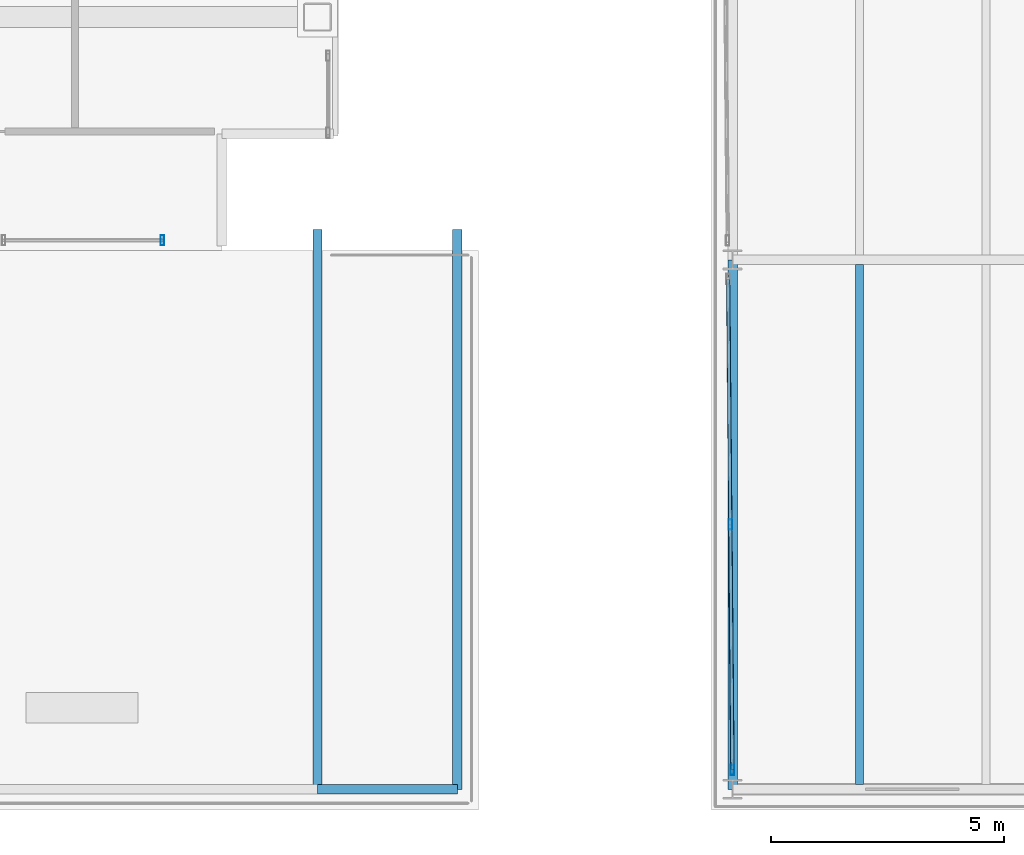
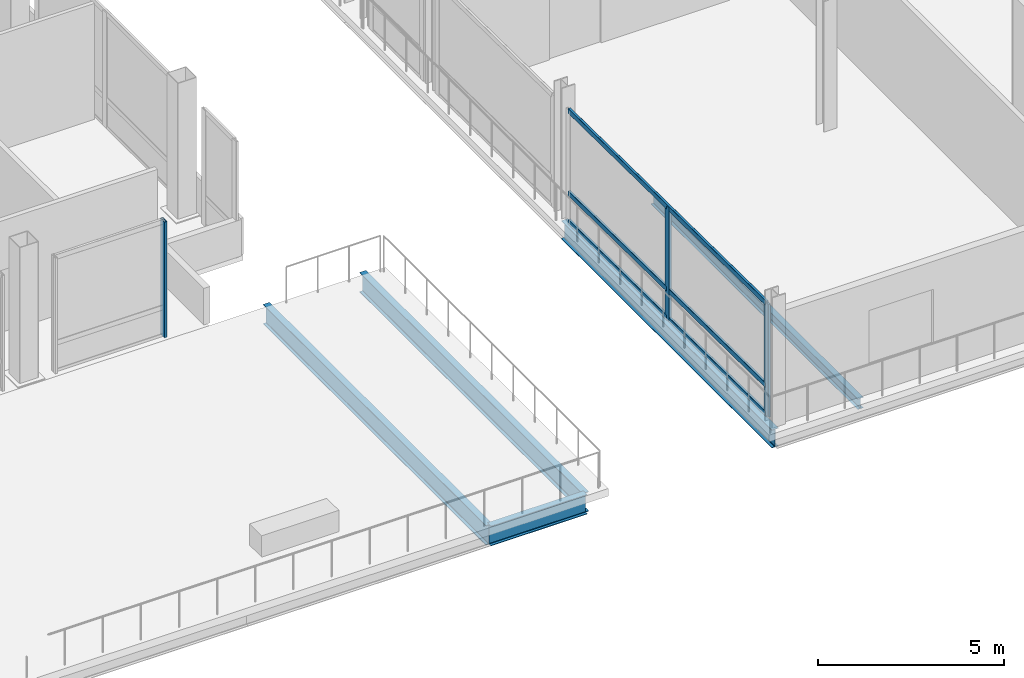
# One storey, part 12 of 34: 6 members, 5 beams, 2 elements without a shape of their own.
"""IFC4 building model written with IfcOpenShell, lengths in metres."""

from ifc_helpers import new_model, si_unit, direction, frame, origin, origin_2d, place, context, subcontext, project, spatial, hollow_rectangle, i_section, extrude, material, material_profile, profile_set, type_object, element, aggregate, save


model = new_model("IFC4")

# Units and contexts
model_context = context("Model", 3, precision=1e-05, world=origin(), true_north=direction((0.0, 1.0)))
body_context = subcontext(model_context, "Body", "Model", "MODEL_VIEW")
ifc_project = project(units=[si_unit("LENGTHUNIT", "METRE"), si_unit("AREAUNIT", "SQUARE_METRE"), si_unit("VOLUMEUNIT", "CUBIC_METRE"), si_unit("PLANEANGLEUNIT", "RADIAN"), si_unit("MASSUNIT", "GRAM", prefix="KILO")], contexts=[model_context])

# Site, building, storey
site_placement = place(None, origin())
site = spatial("IfcSite", under=ifc_project, at=site_placement, CompositionType="ELEMENT")
building_placement = place(site_placement, origin())
building = spatial("IfcBuilding", under=site, at=building_placement, Name="Noeulbin Bourse Tower", CompositionType="ELEMENT")
storey_placement = place(building_placement, frame((0.0, 0.0, 22.0)))
storey = spatial("IfcBuildingStorey", under=building, at=storey_placement, Name="L05", CompositionType="ELEMENT", Elevation=22.0)

# Beams
ifc_material_1 = material(Name="Steel S355", Category="steel")
ifc_material_profile_1 = material_profile(ifc_material_1, i_section(OverallWidth=0.199951171875, OverallDepth=0.60009765625, WebThickness=0.010986328125, FlangeThickness=0.01708984375, FilletRadius=0.02197265625, at=origin_2d()), Name="H-600x200x11x17", Category="LoadBearing")
ifc_profile_set_1 = profile_set([ifc_material_profile_1], Name="Steel S355")
beam_type_1 = type_object("IfcBeamType", Name="BM-GRD-600", PredefinedType="USERDEFINED", material=ifc_profile_set_1)
beam_1_placement = place(storey_placement, frame((60.449951171875, 3.449951171875, -0.52001953125), z_axis=(0.0, 1.0, 0.0), x_axis=(-1.0, 0.0, 0.0)))
element("IfcBeam", 1, at=beam_1_placement, inside=storey, type_object=beam_type_1, Name="Market Hall Girder NS L05-11", ObjectType="GIRDER", PredefinedType="USERDEFINED", context=body_context, shape_type="SweptSolid", body=[
    extrude(i_section(OverallWidth=0.199951171875, OverallDepth=0.60009765625, WebThickness=0.010986328125, FlangeThickness=0.01708984375, FilletRadius=0.02197265625, at=origin_2d()), origin(), (0.0, 0.0, 1.0), 11.35009765625),
])
ifc_material_profile_2 = material_profile(ifc_material_1, i_section(OverallWidth=0.199951171875, OverallDepth=0.64990234375, WebThickness=0.010986328125, FlangeThickness=0.01904296875, FilletRadius=0.02197265625, at=origin_2d()), Name="H-650x200x11x19", Category="LoadBearing")
ifc_profile_set_2 = profile_set([ifc_material_profile_2], Name="Steel S355")
beam_type_2 = type_object("IfcBeamType", Name="BM-GRD-650", PredefinedType="USERDEFINED", material=ifc_profile_set_2)
beam_2_placement = place(storey_placement, frame((51.550048828125, 3.449951171875, -0.574951171875), z_axis=(1.0, 0.0, 0.0), x_axis=(0.0, 1.0, 0.0)))
element("IfcBeam", 2, at=beam_2_placement, inside=storey, type_object=beam_type_2, Name="BM-L05-PTER-EW8", ObjectType="GIRDER", PredefinedType="USERDEFINED", context=body_context, shape_type="SweptSolid", body=[
    extrude(i_section(OverallWidth=0.199951171875, OverallDepth=0.64990234375, WebThickness=0.010986328125, FlangeThickness=0.01904296875, FilletRadius=0.02197265625, at=origin_2d()), origin(), (0.0, 0.0, 1.0), 3.0),
])
for number, where, z_axis, x_axis, name in (
    (3, (51.550048828125, 3.449951171875, -0.574951171875), (0.0, 1.0, 0.0), (-1.0, 0.0, 0.0), "BM-L05-PTER-NS8"),
    (4, (54.550048828125, 3.449951171875, -0.574951171875), (0.0, 1.0, 0.0), (-1.0, 0.0, 0.0), "BM-L05-PTER-NS9"),
):
    element("IfcBeam", number, at=place(storey_placement, frame(where, z_axis=z_axis, x_axis=x_axis)), inside=storey, type_object=beam_type_2, Name=name, ObjectType="GIRDER", PredefinedType="USERDEFINED", context=body_context, shape_type="SweptSolid", body=[
        extrude(i_section(OverallWidth=0.199951171875, OverallDepth=0.64990234375, WebThickness=0.010986328125, FlangeThickness=0.01904296875, FilletRadius=0.02197265625, at=origin_2d()), origin(), (0.0, 0.0, 1.0), 12.0),
    ])
ifc_material_profile_3 = material_profile(ifc_material_1, i_section(OverallWidth=0.175048828125, OverallDepth=0.35009765625, WebThickness=0.007080078125, FlangeThickness=0.010986328125, FilletRadius=0.013916015625, at=origin_2d()), Name="H-350x175x7x11", Category="LoadBearing")
ifc_profile_set_3 = profile_set([ifc_material_profile_3], Name="Steel S355")
beam_type_3 = type_object("IfcBeamType", Name="BM-JST-350", PredefinedType="JOIST", material=ifc_profile_set_3)
beam_3_placement = place(storey_placement, frame((63.166748046875, 3.550048828125, -0.39501953125), z_axis=(0.0, 1.0, 0.0), x_axis=(-1.0, 0.0, 0.0)))
element("IfcBeam", 5, at=beam_3_placement, inside=storey, type_object=beam_type_3, Name="Market Hall Secondary Joist L05-01", PredefinedType="JOIST", context=body_context, shape_type="SweptSolid", body=[
    extrude(i_section(OverallWidth=0.175048828125, OverallDepth=0.35009765625, WebThickness=0.007080078125, FlangeThickness=0.010986328125, FilletRadius=0.013916015625, at=origin_2d()), origin(), (0.0, 0.0, 1.0), 11.14990234375),
])

# Curtain wall, members
ifc_material_2 = material(Name="Laminated Clear Low-E Glass", Category="glass")
curtain_wall_type_1 = type_object("IfcCurtainWallType", Name="CW-SYS-1", PredefinedType="NOTDEFINED", material=ifc_material_2)
curtain_wall_1_placement = place(storey_placement, origin())
curtain_wall_1 = element("IfcCurtainWall", 6, at=curtain_wall_1_placement, inside=storey, type_object=curtain_wall_type_1, Name="Unitised Curtain Wall CW-L05-MKT-W-S1", PredefinedType="NOTDEFINED")
ifc_material_3 = material(Name="Anodised Aluminium 6063-T6", Category="aluminium")
ifc_material_profile_4 = material_profile(ifc_material_3, hollow_rectangle(XDim=0.074951171875, YDim=0.219970703125, WallThickness=0.0048828125, InnerFilletRadius=0.00244140625, OuterFilletRadius=0.0048828125, at=origin_2d()), Name="ALU-MULL-75x220x5", Category="LoadBearing")
ifc_profile_set_4 = profile_set([ifc_material_profile_4], Name="Anodised Aluminium 6063-T6")
member_type_1 = type_object("IfcMemberType", Name="CW-SYS-1-MUL", PredefinedType="MULLION", material=ifc_profile_set_4)
member_1_placement = place(storey_placement, frame((60.4462890625, 3.864013671875, -0.02001953125), z_axis=(0.0, 0.0, 1.0), x_axis=(1.0, 0.0, 0.0)))
member_1 = element("IfcMember", 7, at=member_1_placement, type_object=member_type_1, Name="Curtain Wall Mullion CW-L05-MKT-W-S1-M00", PredefinedType="MULLION", context=body_context, shape_type="SweptSolid", body=[
    extrude(hollow_rectangle(XDim=0.074951171875, YDim=0.219970703125, WallThickness=0.0048828125, InnerFilletRadius=0.00244140625, OuterFilletRadius=0.0048828125, at=origin_2d()), origin(), (0.0, 0.0, 1.0), 3.7099609375),
])
member_2_placement = place(storey_placement, frame((60.399658203125, 9.125, -0.02001953125), z_axis=(0.0, 0.0, 1.0), x_axis=(1.0, 0.0, 0.0)))
member_2 = element("IfcMember", 8, at=member_2_placement, type_object=member_type_1, Name="Curtain Wall Mullion CW-L05-MKT-W-S1-M01", PredefinedType="MULLION", context=body_context, shape_type="SweptSolid", body=[
    extrude(hollow_rectangle(XDim=0.074951171875, YDim=0.219970703125, WallThickness=0.0048828125, InnerFilletRadius=0.00244140625, OuterFilletRadius=0.0048828125, at=origin_2d()), origin(), (0.0, 0.0, 1.0), 3.7099609375),
])
ifc_material_profile_5 = material_profile(ifc_material_3, hollow_rectangle(XDim=0.074951171875, YDim=0.159912109375, WallThickness=0.0048828125, InnerFilletRadius=0.00244140625, OuterFilletRadius=0.0048828125, at=origin_2d()), Name="ALU-TRAN-75x160x5", Category="LoadBearing")
ifc_profile_set_5 = profile_set([ifc_material_profile_5], Name="Anodised Aluminium 6063-T6")
member_type_2 = type_object("IfcMemberType", Name="CW-SYS-1-TRN", PredefinedType="USERDEFINED", material=ifc_profile_set_5)
member_3_placement = place(storey_placement, frame((60.4462890625, 3.8740234375, 0.010009765625), z_axis=(-0.008880066447, 0.999960571433, 0.0), x_axis=(-0.999960571433, -0.008880066447, 0.0)))
member_3 = element("IfcMember", 9, at=member_3_placement, type_object=member_type_2, Name="Curtain Wall Transom CW-L05-MKT-W-S1-T00", ObjectType="TRANSOM", PredefinedType="USERDEFINED", context=body_context, shape_type="SweptSolid", body=[
    extrude(hollow_rectangle(XDim=0.074951171875, YDim=0.159912109375, WallThickness=0.0048828125, InnerFilletRadius=0.00244140625, OuterFilletRadius=0.0048828125, at=origin_2d()), origin(), (0.0, 0.0, 1.0), 10.50244140625),
])
member_4_placement = place(storey_placement, frame((60.4462890625, 3.8740234375, 0.949951171875), z_axis=(-0.008880066447, 0.999960571433, 0.0), x_axis=(-0.999960571433, -0.008880066447, 0.0)))
member_4 = element("IfcMember", 10, at=member_4_placement, type_object=member_type_2, Name="Curtain Wall Transom CW-L05-MKT-W-S1-T01", ObjectType="TRANSOM", PredefinedType="USERDEFINED", context=body_context, shape_type="SweptSolid", body=[
    extrude(hollow_rectangle(XDim=0.074951171875, YDim=0.159912109375, WallThickness=0.0048828125, InnerFilletRadius=0.00244140625, OuterFilletRadius=0.0048828125, at=origin_2d()), origin(), (0.0, 0.0, 1.0), 10.50244140625),
])
member_5_placement = place(storey_placement, frame((60.4462890625, 3.8740234375, 3.659912109375), z_axis=(-0.008880066447, 0.999960571433, 0.0), x_axis=(-0.999960571433, -0.008880066447, 0.0)))
member_5 = element("IfcMember", 11, at=member_5_placement, type_object=member_type_2, Name="Curtain Wall Transom CW-L05-MKT-W-S1-T02", ObjectType="TRANSOM", PredefinedType="USERDEFINED", context=body_context, shape_type="SweptSolid", body=[
    extrude(hollow_rectangle(XDim=0.074951171875, YDim=0.159912109375, WallThickness=0.0048828125, InnerFilletRadius=0.00244140625, OuterFilletRadius=0.0048828125, at=origin_2d()), origin(), (0.0, 0.0, 1.0), 10.50244140625),
])
aggregate(curtain_wall_1, [member_1, member_2, member_3, member_4, member_5])

# Curtain wall, member
ifc_material_4 = material(Name="Dark Solar-Control Double Glazing", Category="glass")
curtain_wall_type_2 = type_object("IfcCurtainWallType", Name="CW-SYS-2", PredefinedType="NOTDEFINED", material=ifc_material_4)
curtain_wall_2_placement = place(storey_placement, origin())
curtain_wall_2 = element("IfcCurtainWall", 12, at=curtain_wall_2_placement, inside=storey, type_object=curtain_wall_type_2, Name="Unitised Curtain Wall CW-L05-S2-S3", PredefinedType="NOTDEFINED")
ifc_material_profile_6 = material_profile(ifc_material_3, hollow_rectangle(XDim=0.074951171875, YDim=0.219970703125, WallThickness=0.0048828125, InnerFilletRadius=0.00244140625, OuterFilletRadius=0.0048828125, at=origin_2d()), Name="ALU-MULL-75x220x5", Category="LoadBearing")
ifc_profile_set_6 = profile_set([ifc_material_profile_6], Name="Anodised Aluminium 6063-T6")
member_type_3 = type_object("IfcMemberType", Name="CW-SYS-2-MUL", PredefinedType="MULLION", material=ifc_profile_set_6)
member_6_placement = place(storey_placement, frame((48.22509765625, 15.219970703125, -0.02001953125), z_axis=(0.0, 0.0, 1.0), x_axis=(1.0, 0.0, 0.0)))
member_6 = element("IfcMember", 13, at=member_6_placement, type_object=member_type_3, Name="Curtain Wall Mullion CW-L05-S2-S3-M01", PredefinedType="MULLION", context=body_context, shape_type="SweptSolid", body=[
    extrude(hollow_rectangle(XDim=0.074951171875, YDim=0.219970703125, WallThickness=0.0048828125, InnerFilletRadius=0.00244140625, OuterFilletRadius=0.0048828125, at=origin_2d()), origin(), (0.0, 0.0, 1.0), 3.820068359375),
])
aggregate(curtain_wall_2, [member_6])

save(model, "model.ifc")
